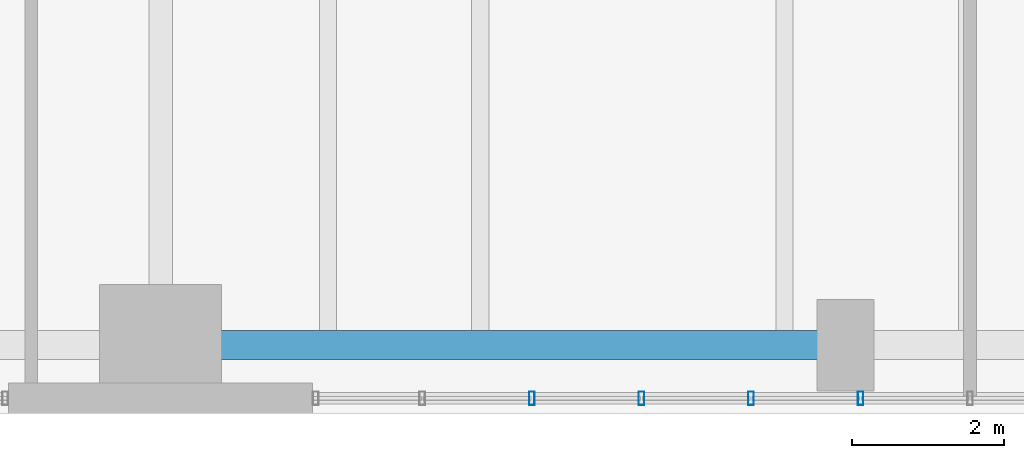
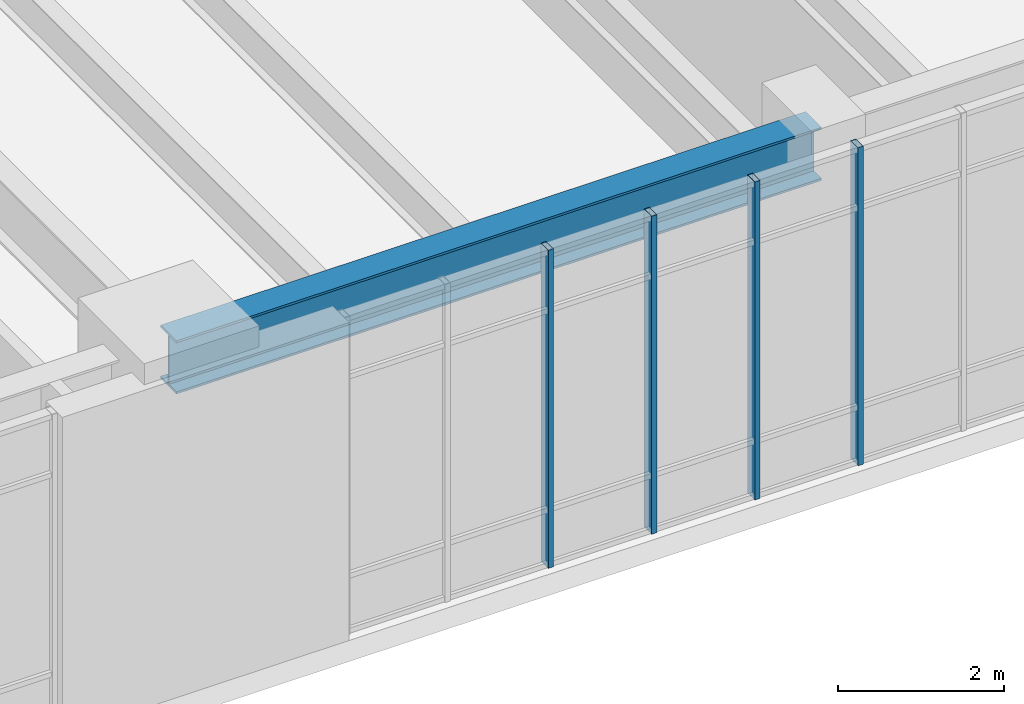
# One storey, part 5 of 26: 4 members, 1 beam, 1 element without a shape of its own.
"""IFC4 building model written with IfcOpenShell, lengths in metres."""

from ifc_helpers import new_model, si_unit, direction, frame, origin, origin_2d, place, context, subcontext, project, spatial, hollow_rectangle, i_section, extrude, material, layer, layer_set, material_profile, profile_set, type_object, element, aggregate, save


model = new_model("IFC4")

# Units and contexts
model_context = context("Model", 3, precision=1e-05, world=origin(), true_north=direction((0.0, 1.0)))
body_context = subcontext(model_context, "Body", "Model", "MODEL_VIEW")
ifc_project = project(units=[si_unit("LENGTHUNIT", "METRE"), si_unit("AREAUNIT", "SQUARE_METRE"), si_unit("VOLUMEUNIT", "CUBIC_METRE"), si_unit("PLANEANGLEUNIT", "RADIAN"), si_unit("MASSUNIT", "GRAM", prefix="KILO"), si_unit("THERMODYNAMICTEMPERATUREUNIT", "KELVIN"), si_unit("POWERUNIT", "WATT")], contexts=[model_context])

# Site, building, storey
site_placement = place(None, origin())
site = spatial("IfcSite", under=ifc_project, at=site_placement, CompositionType="ELEMENT")
building_placement = place(site_placement, origin())
building = spatial("IfcBuilding", under=site, at=building_placement, Name="Skarre Station Tower", CompositionType="ELEMENT")
storey_placement = place(building_placement, frame((0.0, 0.0, 6.0)))
storey = spatial("IfcBuildingStorey", under=building, at=storey_placement, Name="L02", CompositionType="ELEMENT", Elevation=6.0)

# Curtain wall, members
ifc_material_1 = material(Name="Thermally Broken Bronze-Anodized Aluminium & Triple Low-E Glass", Category="aluminium")
ifc_layer = layer(ifc_material_1, 0.199951171875, Name="Thermally Broken Bronze-Anodized Aluminium & Triple Low-E Glass")
ifc_layer_set = layer_set([ifc_layer], Name="Thermally Broken Bronze-Anodized Aluminium & Triple Low-E Glass")
curtain_wall_type = type_object("IfcCurtainWallType", Name="Podium Transit Arcade Stick Curtain Wall", PredefinedType="NOTDEFINED", material=ifc_layer_set)
curtain_wall_placement = place(storey_placement, origin())
curtain_wall = element("IfcCurtainWall", 1, at=curtain_wall_placement, inside=storey, type_object=curtain_wall_type, Name="L02 South Concourse Portal East Curtain Wall", PredefinedType="NOTDEFINED")
ifc_material_2 = material(Name="Anodized Aluminium 6063-T6", Category="aluminium")
ifc_material_profile_1 = material_profile(ifc_material_2, hollow_rectangle(XDim=0.074951171875, YDim=0.179931640625, WallThickness=0.00390625, at=origin_2d()), Name="Anodized Aluminium 6063-T6")
ifc_profile_set_1 = profile_set([ifc_material_profile_1], Name="Anodized Aluminium 6063-T6")
member_type = type_object("IfcMemberType", Name="Curtain-Wall Unitised Tower Mullion 180x75", PredefinedType="MULLION", material=ifc_profile_set_1)
member_1_placement = place(storey_placement, frame((45.199951171875, 0.199951171875, 0.0), z_axis=(0.0, 0.0, 1.0), x_axis=(-1.0, 0.0, 0.0)))
member_1 = element("IfcMember", 2, at=member_1_placement, type_object=member_type, Name="L02 South Concourse Portal East Curtain Wall Mullion 6", PredefinedType="MULLION", context=body_context, shape_type="SweptSolid", body=[
    extrude(hollow_rectangle(XDim=0.074951171875, YDim=0.179931640625, WallThickness=0.00390625, at=origin_2d()), origin(), (0.0, 0.0, 1.0), 4.68994140625),
])
member_2_placement = place(storey_placement, frame((43.760009765625, 0.199951171875, 0.0), z_axis=(0.0, 0.0, 1.0), x_axis=(-1.0, 0.0, 0.0)))
member_2 = element("IfcMember", 3, at=member_2_placement, type_object=member_type, Name="L02 South Concourse Portal East Curtain Wall Mullion 7", PredefinedType="MULLION", context=body_context, shape_type="SweptSolid", body=[
    extrude(hollow_rectangle(XDim=0.074951171875, YDim=0.179931640625, WallThickness=0.00390625, at=origin_2d()), origin(), (0.0, 0.0, 1.0), 4.68994140625),
])
member_3_placement = place(storey_placement, frame((42.320068359375, 0.199951171875, 0.0), z_axis=(0.0, 0.0, 1.0), x_axis=(-1.0, 0.0, 0.0)))
member_3 = element("IfcMember", 4, at=member_3_placement, type_object=member_type, Name="L02 South Concourse Portal East Curtain Wall Mullion 8", PredefinedType="MULLION", context=body_context, shape_type="SweptSolid", body=[
    extrude(hollow_rectangle(XDim=0.074951171875, YDim=0.179931640625, WallThickness=0.00390625, at=origin_2d()), origin(), (0.0, 0.0, 1.0), 4.68994140625),
])
member_4_placement = place(storey_placement, frame((40.8798828125, 0.199951171875, 0.0), z_axis=(0.0, 0.0, 1.0), x_axis=(-1.0, 0.0, 0.0)))
member_4 = element("IfcMember", 5, at=member_4_placement, type_object=member_type, Name="L02 South Concourse Portal East Curtain Wall Mullion 9", PredefinedType="MULLION", context=body_context, shape_type="SweptSolid", body=[
    extrude(hollow_rectangle(XDim=0.074951171875, YDim=0.179931640625, WallThickness=0.00390625, at=origin_2d()), origin(), (0.0, 0.0, 1.0), 4.68994140625),
])
aggregate(curtain_wall, [member_1, member_2, member_3, member_4])

# Beam
ifc_material_3 = material(Name="Steel ASTM A992 Grade 50", Category="steel")
ifc_material_profile_2 = material_profile(ifc_material_3, i_section(OverallWidth=0.384033203125, OverallDepth=0.785888671875, WebThickness=0.02001953125, FlangeThickness=0.032958984375, at=origin_2d()), Name="Steel ASTM A992 Grade 50")
ifc_profile_set_2 = profile_set([ifc_material_profile_2], Name="Steel ASTM A992 Grade 50")
beam_type = type_object("IfcBeamType", Name="Steel Spandrel W30X211", PredefinedType="SPANDREL", material=ifc_profile_set_2)
beam_placement = place(storey_placement, frame((36.0, 0.89990234375, 4.297119140625), z_axis=(1.0, 0.0, 0.0), x_axis=(0.0, 1.0, 0.0)))
element("IfcBeam", 6, at=beam_placement, inside=storey, type_object=beam_type, Name="L02 South Podium Spandrel 5", PredefinedType="SPANDREL", context=body_context, shape_type="SweptSolid", body=[
    extrude(i_section(OverallWidth=0.384033203125, OverallDepth=0.785888671875, WebThickness=0.02001953125, FlangeThickness=0.032958984375, at=origin_2d()), origin(), (0.0, 0.0, 1.0), 9.0),
])

save(model, "model.ifc")
